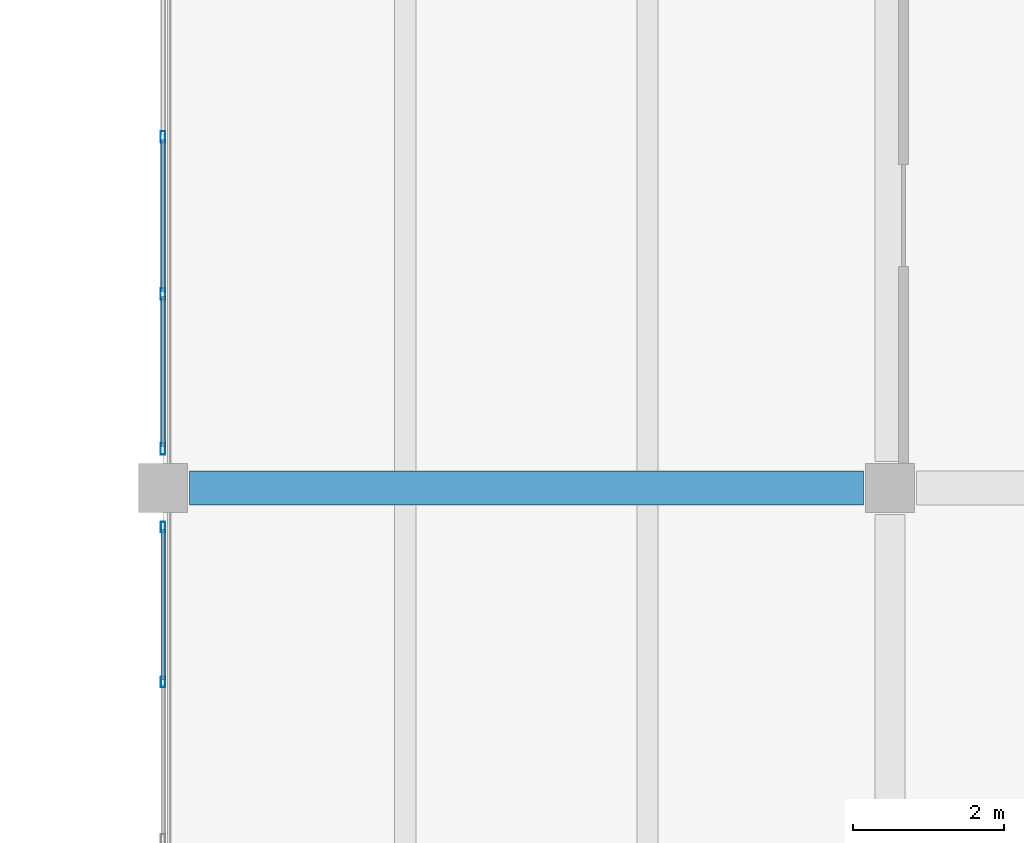
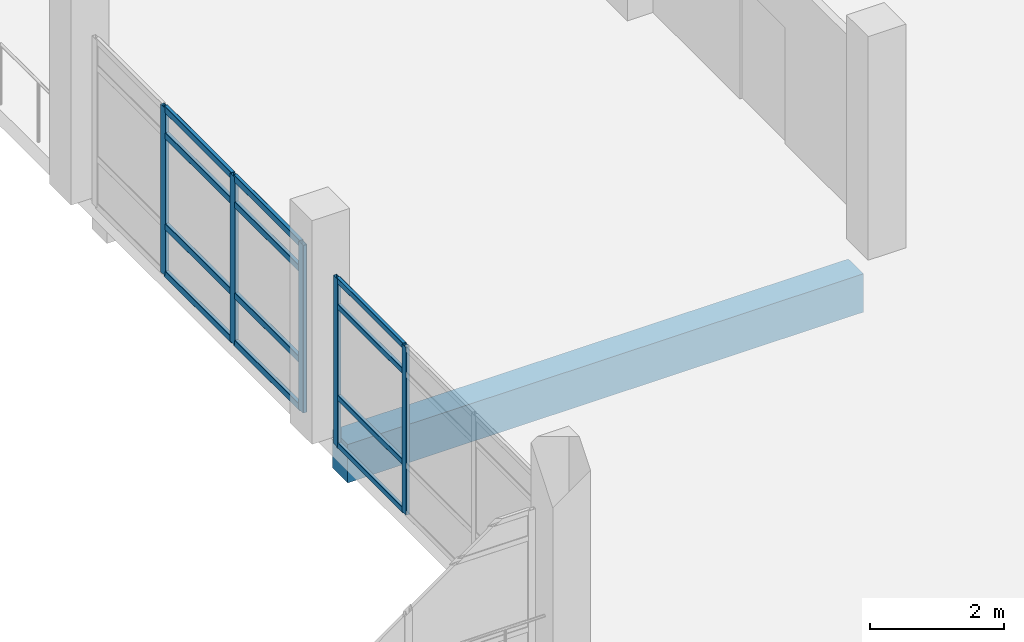
# One storey, part 68 of 134: 17 members, 1 beam, 2 elements without a shape of their own.
"""IFC4 building model written with IfcOpenShell, lengths in metres."""

from ifc_helpers import new_model, si_unit, direction, frame, origin, origin_2d, place, context, subcontext, project, spatial, rectangle, hollow_rectangle, extrude, material, layer, layer_set, material_profile, profile_set, type_object, element, aggregate, save


model = new_model("IFC4")

# Units and contexts
model_context = context("Model", 3, precision=1e-05, world=origin(), true_north=direction((0.0, 1.0)))
body_context = subcontext(model_context, "Body", "Model", "MODEL_VIEW")
ifc_project = project(units=[si_unit("LENGTHUNIT", "METRE"), si_unit("AREAUNIT", "SQUARE_METRE"), si_unit("VOLUMEUNIT", "CUBIC_METRE"), si_unit("PLANEANGLEUNIT", "RADIAN"), si_unit("MASSUNIT", "GRAM", prefix="KILO")], contexts=[model_context])

# Site, building, storey
site_placement = place(None, origin())
site = spatial("IfcSite", under=ifc_project, at=site_placement, CompositionType="ELEMENT")
building_placement = place(site_placement, origin())
building = spatial("IfcBuilding", under=site, at=building_placement, Name="Asteropetra Specialist Clinic", CompositionType="ELEMENT")
storey_placement = place(building_placement, frame((0.0, 0.0, 8.5)))
storey = spatial("IfcBuildingStorey", under=building, at=storey_placement, Name="L02", CompositionType="ELEMENT", Elevation=8.5)

# Beam
ifc_material_1 = material(Name="Concrete C35/45", Category="concrete")
ifc_material_profile_1 = material_profile(ifc_material_1, rectangle(XDim=0.449951171875, YDim=0.699951171875, at=origin_2d()), Name="RCB 450x700")
ifc_profile_set_1 = profile_set([ifc_material_profile_1], Name="Concrete C35/45")
beam_type = type_object("IfcBeamType", Name="BM-RC450x700", PredefinedType="BEAM", material=ifc_profile_set_1)
beam_placement = place(storey_placement, frame((134.75, 26.39990234375, -0.64990234375), z_axis=(1.0, 0.0, 0.0), x_axis=(0.0, 1.0, 0.0)))
element("IfcBeam", 1, at=beam_placement, inside=storey, type_object=beam_type, Name="Beam BBM05-1138", PredefinedType="BEAM", context=body_context, shape_type="SweptSolid", body=[
    extrude(rectangle(XDim=0.449951171875, YDim=0.699951171875, at=origin_2d()), origin(), (0.0, 0.0, 1.0), 8.89990234375),
])

# Curtain wall, members
ifc_material_2 = material(Name="Aluminium and low-E glass", Category="aluminium")
ifc_layer_1 = layer(ifc_material_2, 0.14990234375)
ifc_layer_set_1 = layer_set([ifc_layer_1], Name="Aluminium and low-E glass")
curtain_wall_type_1 = type_object("IfcCurtainWallType", Name="CW-SYS-11", PredefinedType="USERDEFINED", material=ifc_layer_set_1)
curtain_wall_1_placement = place(storey_placement, origin())
curtain_wall_1 = element("IfcCurtainWall", 2, at=curtain_wall_1_placement, inside=storey, type_object=curtain_wall_type_1, Name="Curtain Wall CW-080", ObjectType="STICK GLAZED COLONNADE", PredefinedType="USERDEFINED")
ifc_material_3 = material(Name="Aluminium 6063-T6", Category="aluminium")
ifc_material_profile_2 = material_profile(ifc_material_3, hollow_rectangle(XDim=0.06005859375, YDim=0.135009765625, WallThickness=0.00341796875, InnerFilletRadius=0.00341796875, OuterFilletRadius=0.007080078125, at=origin_2d()), Name="MUL 135x60x3.5")
ifc_profile_set_2 = profile_set([ifc_material_profile_2], Name="Aluminium 6063-T6")
member_type_1 = type_object("IfcMemberType", Name="CWM-135x60", PredefinedType="MULLION", material=ifc_profile_set_2)
member_1_placement = place(storey_placement, frame((134.39990234375, 23.83837890625, 0.0), z_axis=(0.0, 0.0, 1.0), x_axis=(-1.0, 0.0, 0.0)))
member_1 = element("IfcMember", 3, at=member_1_placement, type_object=member_type_1, Name="CW-080 mullion 3", PredefinedType="MULLION", context=body_context, shape_type="SweptSolid", body=[
    extrude(hollow_rectangle(XDim=0.06005859375, YDim=0.135009765625, WallThickness=0.00341796875, InnerFilletRadius=0.00341796875, OuterFilletRadius=0.007080078125, at=origin_2d()), origin(), (0.0, 0.0, 1.0), 3.06005859375),
])
member_2_placement = place(storey_placement, frame((134.39990234375, 25.885009765625, 0.0), z_axis=(0.0, 0.0, 1.0), x_axis=(-1.0, 0.0, 0.0)))
member_2 = element("IfcMember", 4, at=member_2_placement, type_object=member_type_1, Name="CW-080 mullion 4", PredefinedType="MULLION", context=body_context, shape_type="SweptSolid", body=[
    extrude(hollow_rectangle(XDim=0.06005859375, YDim=0.135009765625, WallThickness=0.00341796875, InnerFilletRadius=0.00341796875, OuterFilletRadius=0.007080078125, at=origin_2d()), origin(), (0.0, 0.0, 1.0), 3.06005859375),
])

ifc_material_4 = material(Name="Aluminium and low-E glass", Category="aluminium")
ifc_layer_2 = layer(ifc_material_4, 0.135009765625)
ifc_layer_set_2 = layer_set([ifc_layer_2], Name="Aluminium and low-E glass")
curtain_wall_type_2 = type_object("IfcCurtainWallType", Name="CW-SYS-12", PredefinedType="USERDEFINED", material=ifc_layer_set_2)
curtain_wall_2_placement = place(storey_placement, origin())
curtain_wall_2 = element("IfcCurtainWall", 5, at=curtain_wall_2_placement, inside=storey, type_object=curtain_wall_type_2, Name="Curtain Wall CW-082", ObjectType="STICK GLAZED COLONNADE", PredefinedType="USERDEFINED")
ifc_material_5 = material(Name="Aluminium 6063-T6", Category="aluminium")
ifc_material_profile_3 = material_profile(ifc_material_5, hollow_rectangle(XDim=0.06494140625, YDim=0.14990234375, WallThickness=0.00390625, InnerFilletRadius=0.00390625, OuterFilletRadius=0.008056640625, at=origin_2d()), Name="MUL 150x65x4.0")
ifc_profile_set_3 = profile_set([ifc_material_profile_3], Name="Aluminium 6063-T6")
member_type_2 = type_object("IfcMemberType", Name="CWM-150x65", PredefinedType="MULLION", material=ifc_profile_set_3)
member_3_placement = place(storey_placement, frame((134.39990234375, 26.91748046875, 0.0), z_axis=(0.0, 0.0, 1.0), x_axis=(-1.0, 0.0, 0.0)))
member_3 = element("IfcMember", 6, at=member_3_placement, type_object=member_type_2, Name="CW-082 mullion 1", PredefinedType="MULLION", context=body_context, shape_type="SweptSolid", body=[
    extrude(hollow_rectangle(XDim=0.06494140625, YDim=0.14990234375, WallThickness=0.00390625, InnerFilletRadius=0.00390625, OuterFilletRadius=0.008056640625, at=origin_2d()), origin(), (0.0, 0.0, 1.0), 3.06005859375),
])
member_4_placement = place(storey_placement, frame((134.39990234375, 28.961669921875, 0.0), z_axis=(0.0, 0.0, 1.0), x_axis=(-1.0, 0.0, 0.0)))
member_4 = element("IfcMember", 7, at=member_4_placement, type_object=member_type_2, Name="CW-082 mullion 2", PredefinedType="MULLION", context=body_context, shape_type="SweptSolid", body=[
    extrude(hollow_rectangle(XDim=0.06494140625, YDim=0.14990234375, WallThickness=0.00390625, InnerFilletRadius=0.00390625, OuterFilletRadius=0.008056640625, at=origin_2d()), origin(), (0.0, 0.0, 1.0), 3.06005859375),
])
member_5_placement = place(storey_placement, frame((134.39990234375, 31.038330078125, 0.0), z_axis=(0.0, 0.0, 1.0), x_axis=(-1.0, 0.0, 0.0)))
member_5 = element("IfcMember", 8, at=member_5_placement, type_object=member_type_2, Name="CW-082 mullion 3", PredefinedType="MULLION", context=body_context, shape_type="SweptSolid", body=[
    extrude(hollow_rectangle(XDim=0.06494140625, YDim=0.14990234375, WallThickness=0.00390625, InnerFilletRadius=0.00390625, OuterFilletRadius=0.008056640625, at=origin_2d()), origin(), (0.0, 0.0, 1.0), 3.06005859375),
])

# Member
ifc_material_6 = material(Name="Aluminium 6063-T6", Category="aluminium")
ifc_material_profile_4 = material_profile(ifc_material_6, hollow_rectangle(XDim=0.06005859375, YDim=0.10009765625, WallThickness=0.00341796875, InnerFilletRadius=0.00341796875, OuterFilletRadius=0.007080078125, at=origin_2d()), Name="TRN 100x60x3.5")
ifc_profile_set_4 = profile_set([ifc_material_profile_4], Name="Aluminium 6063-T6")
member_type_3 = type_object("IfcMemberType", Name="CWT-100x60", PredefinedType="USERDEFINED", material=ifc_profile_set_4)
member_6_placement = place(storey_placement, frame((134.39990234375, 23.868408203125, 0.030029296875), z_axis=(0.0, 1.0, 0.0), x_axis=(-1.0, 0.0, 0.0)))
member_6 = element("IfcMember", 9, at=member_6_placement, type_object=member_type_3, Name="CW-080 transom 3.1", ObjectType="TRANSOM", PredefinedType="USERDEFINED", context=body_context, shape_type="SweptSolid", body=[
    extrude(hollow_rectangle(XDim=0.06005859375, YDim=0.10009765625, WallThickness=0.00341796875, InnerFilletRadius=0.00341796875, OuterFilletRadius=0.007080078125, at=origin_2d()), origin(), (0.0, 0.0, 1.0), 1.986572265625),
])

member_7_placement = place(storey_placement, frame((134.39990234375, 23.868408203125, 0.89990234375), z_axis=(0.0, 1.0, 0.0), x_axis=(-1.0, 0.0, 0.0)))
member_7 = element("IfcMember", 10, at=member_7_placement, type_object=member_type_3, Name="CW-080 transom 3.2", ObjectType="TRANSOM", PredefinedType="USERDEFINED", context=body_context, shape_type="SweptSolid", body=[
    extrude(hollow_rectangle(XDim=0.06005859375, YDim=0.10009765625, WallThickness=0.00341796875, InnerFilletRadius=0.00341796875, OuterFilletRadius=0.007080078125, at=origin_2d()), origin(), (0.0, 0.0, 1.0), 1.986572265625),
])

member_8_placement = place(storey_placement, frame((134.39990234375, 23.868408203125, 2.56005859375), z_axis=(0.0, 1.0, 0.0), x_axis=(-1.0, 0.0, 0.0)))
member_8 = element("IfcMember", 11, at=member_8_placement, type_object=member_type_3, Name="CW-080 transom 3.3", ObjectType="TRANSOM", PredefinedType="USERDEFINED", context=body_context, shape_type="SweptSolid", body=[
    extrude(hollow_rectangle(XDim=0.06005859375, YDim=0.10009765625, WallThickness=0.00341796875, InnerFilletRadius=0.00341796875, OuterFilletRadius=0.007080078125, at=origin_2d()), origin(), (0.0, 0.0, 1.0), 1.986572265625),
])

member_9_placement = place(storey_placement, frame((134.39990234375, 23.868408203125, 3.030029296875), z_axis=(0.0, 1.0, 0.0), x_axis=(-1.0, 0.0, 0.0)))
member_9 = element("IfcMember", 12, at=member_9_placement, type_object=member_type_3, Name="CW-080 transom 3.4", ObjectType="TRANSOM", PredefinedType="USERDEFINED", context=body_context, shape_type="SweptSolid", body=[
    extrude(hollow_rectangle(XDim=0.06005859375, YDim=0.10009765625, WallThickness=0.00341796875, InnerFilletRadius=0.00341796875, OuterFilletRadius=0.007080078125, at=origin_2d()), origin(), (0.0, 0.0, 1.0), 1.986572265625),
])

aggregate(curtain_wall_1, [member_1, member_2, member_6, member_7, member_8, member_9])

ifc_material_7 = material(Name="Aluminium 6063-T6", Category="aluminium")
ifc_material_profile_5 = material_profile(ifc_material_7, hollow_rectangle(XDim=0.06494140625, YDim=0.1201171875, WallThickness=0.00390625, InnerFilletRadius=0.00390625, OuterFilletRadius=0.008056640625, at=origin_2d()), Name="TRN 120x65x4.0")
ifc_profile_set_5 = profile_set([ifc_material_profile_5], Name="Aluminium 6063-T6")
member_type_4 = type_object("IfcMemberType", Name="CWT-120x65", PredefinedType="USERDEFINED", material=ifc_profile_set_5)
member_10_placement = place(storey_placement, frame((134.39990234375, 26.949951171875, 0.032470703125), z_axis=(0.0, 1.0, 0.0), x_axis=(-1.0, 0.0, 0.0)))
member_10 = element("IfcMember", 13, at=member_10_placement, type_object=member_type_4, Name="CW-082 transom 1.1", ObjectType="TRANSOM", PredefinedType="USERDEFINED", context=body_context, shape_type="SweptSolid", body=[
    extrude(hollow_rectangle(XDim=0.06494140625, YDim=0.1201171875, WallThickness=0.00390625, InnerFilletRadius=0.00390625, OuterFilletRadius=0.008056640625, at=origin_2d()), origin(), (0.0, 0.0, 1.0), 1.979248046875),
])

member_11_placement = place(storey_placement, frame((134.39990234375, 26.949951171875, 0.89990234375), z_axis=(0.0, 1.0, 0.0), x_axis=(-1.0, 0.0, 0.0)))
member_11 = element("IfcMember", 14, at=member_11_placement, type_object=member_type_4, Name="CW-082 transom 1.2", ObjectType="TRANSOM", PredefinedType="USERDEFINED", context=body_context, shape_type="SweptSolid", body=[
    extrude(hollow_rectangle(XDim=0.06494140625, YDim=0.1201171875, WallThickness=0.00390625, InnerFilletRadius=0.00390625, OuterFilletRadius=0.008056640625, at=origin_2d()), origin(), (0.0, 0.0, 1.0), 1.979248046875),
])

member_12_placement = place(storey_placement, frame((134.39990234375, 26.949951171875, 2.56005859375), z_axis=(0.0, 1.0, 0.0), x_axis=(-1.0, 0.0, 0.0)))
member_12 = element("IfcMember", 15, at=member_12_placement, type_object=member_type_4, Name="CW-082 transom 1.3", ObjectType="TRANSOM", PredefinedType="USERDEFINED", context=body_context, shape_type="SweptSolid", body=[
    extrude(hollow_rectangle(XDim=0.06494140625, YDim=0.1201171875, WallThickness=0.00390625, InnerFilletRadius=0.00390625, OuterFilletRadius=0.008056640625, at=origin_2d()), origin(), (0.0, 0.0, 1.0), 1.979248046875),
])

member_13_placement = place(storey_placement, frame((134.39990234375, 26.949951171875, 3.027587890625), z_axis=(0.0, 1.0, 0.0), x_axis=(-1.0, 0.0, 0.0)))
member_13 = element("IfcMember", 16, at=member_13_placement, type_object=member_type_4, Name="CW-082 transom 1.4", ObjectType="TRANSOM", PredefinedType="USERDEFINED", context=body_context, shape_type="SweptSolid", body=[
    extrude(hollow_rectangle(XDim=0.06494140625, YDim=0.1201171875, WallThickness=0.00390625, InnerFilletRadius=0.00390625, OuterFilletRadius=0.008056640625, at=origin_2d()), origin(), (0.0, 0.0, 1.0), 1.979248046875),
])

member_14_placement = place(storey_placement, frame((134.39990234375, 28.994140625, 0.032470703125), z_axis=(0.0, 1.0, 0.0), x_axis=(-1.0, 0.0, 0.0)))
member_14 = element("IfcMember", 17, at=member_14_placement, type_object=member_type_4, Name="CW-082 transom 2.1", ObjectType="TRANSOM", PredefinedType="USERDEFINED", context=body_context, shape_type="SweptSolid", body=[
    extrude(hollow_rectangle(XDim=0.06494140625, YDim=0.1201171875, WallThickness=0.00390625, InnerFilletRadius=0.00390625, OuterFilletRadius=0.008056640625, at=origin_2d()), origin(), (0.0, 0.0, 1.0), 2.01171875),
])

member_15_placement = place(storey_placement, frame((134.39990234375, 28.994140625, 0.89990234375), z_axis=(0.0, 1.0, 0.0), x_axis=(-1.0, 0.0, 0.0)))
member_15 = element("IfcMember", 18, at=member_15_placement, type_object=member_type_4, Name="CW-082 transom 2.2", ObjectType="TRANSOM", PredefinedType="USERDEFINED", context=body_context, shape_type="SweptSolid", body=[
    extrude(hollow_rectangle(XDim=0.06494140625, YDim=0.1201171875, WallThickness=0.00390625, InnerFilletRadius=0.00390625, OuterFilletRadius=0.008056640625, at=origin_2d()), origin(), (0.0, 0.0, 1.0), 2.01171875),
])

member_16_placement = place(storey_placement, frame((134.39990234375, 28.994140625, 2.56005859375), z_axis=(0.0, 1.0, 0.0), x_axis=(-1.0, 0.0, 0.0)))
member_16 = element("IfcMember", 19, at=member_16_placement, type_object=member_type_4, Name="CW-082 transom 2.3", ObjectType="TRANSOM", PredefinedType="USERDEFINED", context=body_context, shape_type="SweptSolid", body=[
    extrude(hollow_rectangle(XDim=0.06494140625, YDim=0.1201171875, WallThickness=0.00390625, InnerFilletRadius=0.00390625, OuterFilletRadius=0.008056640625, at=origin_2d()), origin(), (0.0, 0.0, 1.0), 2.01171875),
])

member_17_placement = place(storey_placement, frame((134.39990234375, 28.994140625, 3.027587890625), z_axis=(0.0, 1.0, 0.0), x_axis=(-1.0, 0.0, 0.0)))
member_17 = element("IfcMember", 20, at=member_17_placement, type_object=member_type_4, Name="CW-082 transom 2.4", ObjectType="TRANSOM", PredefinedType="USERDEFINED", context=body_context, shape_type="SweptSolid", body=[
    extrude(hollow_rectangle(XDim=0.06494140625, YDim=0.1201171875, WallThickness=0.00390625, InnerFilletRadius=0.00390625, OuterFilletRadius=0.008056640625, at=origin_2d()), origin(), (0.0, 0.0, 1.0), 2.01171875),
])

aggregate(curtain_wall_2, [member_3, member_4, member_5, member_10, member_11, member_12, member_13, member_14, member_15, member_16, member_17])

save(model, "model.ifc")
